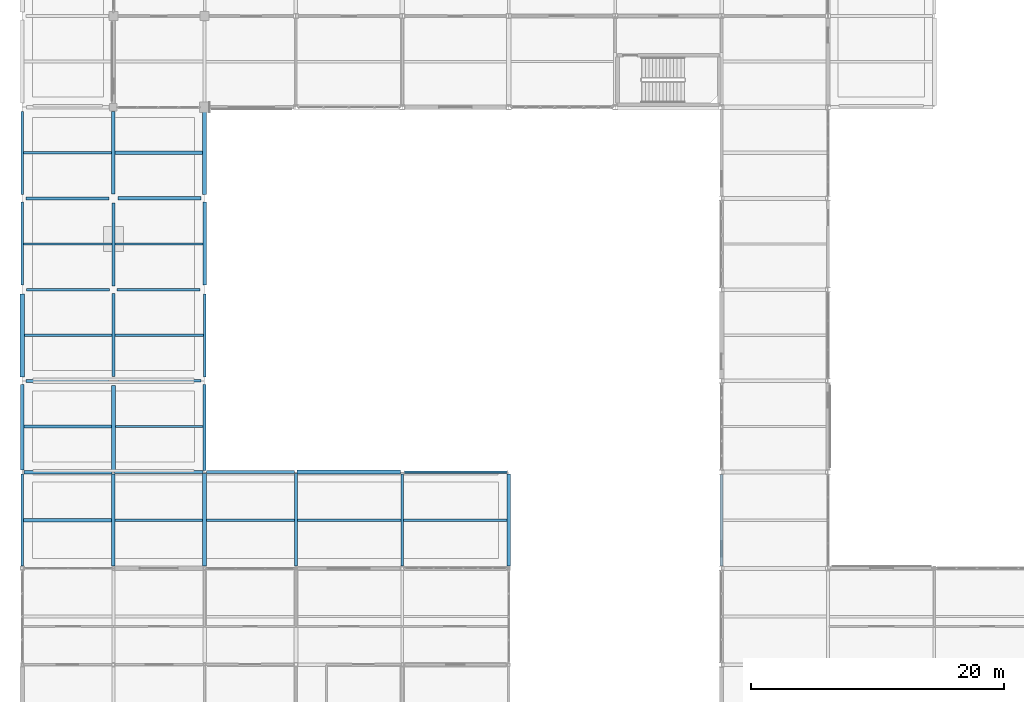
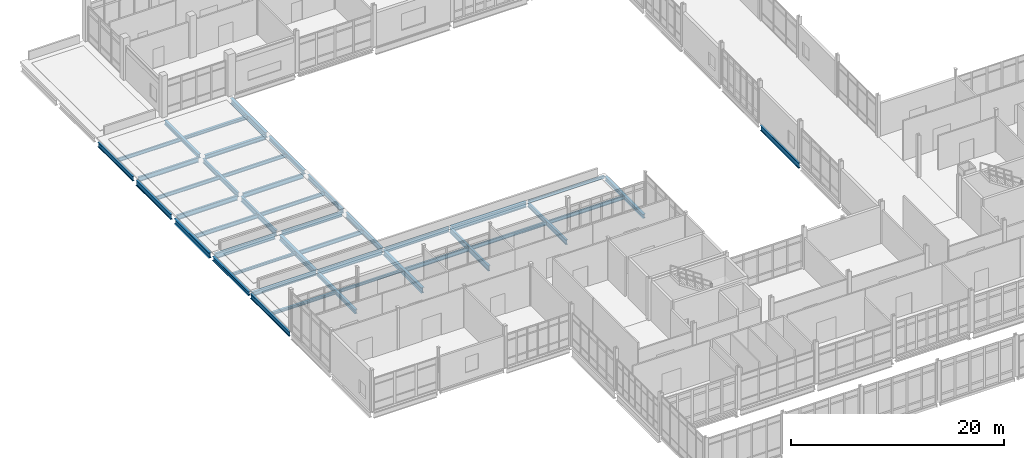
# One storey, part 75 of 186: 43 beams.
"""IFC4 building model written with IfcOpenShell, lengths in metres."""

from ifc_helpers import new_model, si_unit, direction, frame, origin, origin_2d, place, context, subcontext, project, spatial, hollow_rectangle, i_section, extrude, material, material_profile, profile_set, type_object, element, save


model = new_model("IFC4")

# Units and contexts
model_context = context("Model", 3, precision=1e-05, world=origin(), true_north=direction((0.0, 1.0)))
body_context = subcontext(model_context, "Body", "Model", "MODEL_VIEW")
ifc_project = project(units=[si_unit("LENGTHUNIT", "METRE"), si_unit("AREAUNIT", "SQUARE_METRE"), si_unit("VOLUMEUNIT", "CUBIC_METRE"), si_unit("PLANEANGLEUNIT", "RADIAN"), si_unit("MASSUNIT", "GRAM", prefix="KILO")], contexts=[model_context])

# Site, building, storey
site_placement = place(None, origin())
site = spatial("IfcSite", under=ifc_project, at=site_placement, CompositionType="ELEMENT")
building_placement = place(site_placement, origin())
building = spatial("IfcBuilding", under=site, at=building_placement, Name="Calvrana Isthmian Art Gallery", CompositionType="ELEMENT")
storey_placement = place(building_placement, frame((0.0, 0.0, 5.39990234375)))
storey = spatial("IfcBuildingStorey", under=building, at=storey_placement, Name="L01", CompositionType="ELEMENT", Elevation=5.39990234375)

# Beams
ifc_material_1 = material(Name="Steel ASTM A992 Gr 50", Category="steel")
ifc_material_profile_1 = material_profile(ifc_material_1, i_section(OverallWidth=0.279052734375, OverallDepth=0.4619140625, WebThickness=0.0107421875, FlangeThickness=0.017333984375, FilletRadius=0.02001953125, at=origin_2d()), Name="W18X76")
ifc_profile_set_1 = profile_set([ifc_material_profile_1], Name="Steel ASTM A992 Gr 50")
beam_type_1 = type_object("IfcBeamType", Name="BM-G-W18X76", PredefinedType="BEAM", material=ifc_profile_set_1)
beam_1_placement = place(storey_placement, frame((0.15234375, 69.60009765625, -0.475830078125), z_axis=(1.0, 0.0, 0.0), x_axis=(0.0, 1.0, 0.0)))
element("IfcBeam", 1, at=beam_1_placement, inside=storey, type_object=beam_type_1, Name="Girder X L01 01-02/J", PredefinedType="BEAM", context=body_context, shape_type="SweptSolid", body=[
    extrude(i_section(OverallWidth=0.279052734375, OverallDepth=0.4619140625, WebThickness=0.0107421875, FlangeThickness=0.017333984375, FilletRadius=0.02001953125, at=origin_2d()), origin(), (0.0, 0.0, 1.0), 6.946044921875),
])
beam_2_placement = place(storey_placement, frame((7.550048828125, 91.199951171875, -0.475830078125), z_axis=(1.0, 0.0, 0.0), x_axis=(0.0, 1.0, 0.0)))
element("IfcBeam", 2, at=beam_2_placement, inside=storey, type_object=beam_type_1, Name="Girder X L01 02-03/M", PredefinedType="BEAM", context=body_context, shape_type="SweptSolid", body=[
    extrude(i_section(OverallWidth=0.279052734375, OverallDepth=0.4619140625, WebThickness=0.0107421875, FlangeThickness=0.017333984375, FilletRadius=0.02001953125, at=origin_2d()), origin(), (0.0, 0.0, 1.0), 6.550048828125),
])
beam_3_placement = place(storey_placement, frame((0.0, 69.75244140625, -0.475830078125), z_axis=(0.0, 1.0, 0.0), x_axis=(-1.0, 0.0, 0.0)))
element("IfcBeam", 3, at=beam_3_placement, inside=storey, type_object=beam_type_1, Name="Girder Y L01 01/J-K", PredefinedType="BEAM", context=body_context, shape_type="SweptSolid", body=[
    extrude(i_section(OverallWidth=0.279052734375, OverallDepth=0.4619140625, WebThickness=0.0107421875, FlangeThickness=0.017333984375, FilletRadius=0.02001953125, at=origin_2d()), origin(), (0.0, 0.0, 1.0), 6.74755859375),
])
beam_4_placement = place(storey_placement, frame((7.199951171875, 62.177978515625, -0.475830078125), z_axis=(0.0, 1.0, 0.0), x_axis=(-1.0, 0.0, 0.0)))
element("IfcBeam", 4, at=beam_4_placement, inside=storey, type_object=beam_type_1, Name="Girder Y L01 02/I-J", PredefinedType="BEAM", context=body_context, shape_type="SweptSolid", body=[
    extrude(i_section(OverallWidth=0.279052734375, OverallDepth=0.4619140625, WebThickness=0.0107421875, FlangeThickness=0.017333984375, FilletRadius=0.02001953125, at=origin_2d()), origin(), (0.0, 0.0, 1.0), 7.26953125),
])
beam_5_placement = place(storey_placement, frame((7.199951171875, 91.550048828125, -0.475830078125), z_axis=(0.0, 1.0, 0.0), x_axis=(-1.0, 0.0, 0.0)))
element("IfcBeam", 5, at=beam_5_placement, inside=storey, type_object=beam_type_1, Name="Girder Y L01 02/M-N", PredefinedType="BEAM", context=body_context, shape_type="SweptSolid", body=[
    extrude(i_section(OverallWidth=0.279052734375, OverallDepth=0.4619140625, WebThickness=0.0107421875, FlangeThickness=0.017333984375, FilletRadius=0.02001953125, at=origin_2d()), origin(), (0.0, 0.0, 1.0), 6.5),
])
beam_6_placement = place(storey_placement, frame((14.39990234375, 84.35009765625, -0.475830078125), z_axis=(0.0, 1.0, 0.0), x_axis=(-1.0, 0.0, 0.0)))
element("IfcBeam", 6, at=beam_6_placement, inside=storey, type_object=beam_type_1, Name="Girder Y L01 03/L-M", PredefinedType="BEAM", context=body_context, shape_type="SweptSolid", body=[
    extrude(i_section(OverallWidth=0.279052734375, OverallDepth=0.4619140625, WebThickness=0.0107421875, FlangeThickness=0.017333984375, FilletRadius=0.02001953125, at=origin_2d()), origin(), (0.0, 0.0, 1.0), 6.5498046875),
])
beam_7_placement = place(storey_placement, frame((38.39990234375, 62.177978515625, -0.475830078125), z_axis=(0.0, 1.0, 0.0), x_axis=(-1.0, 0.0, 0.0)))
element("IfcBeam", 7, at=beam_7_placement, inside=storey, type_object=beam_type_1, Name="Girder Y L01 06/I-J", PredefinedType="BEAM", context=body_context, shape_type="SweptSolid", body=[
    extrude(i_section(OverallWidth=0.279052734375, OverallDepth=0.4619140625, WebThickness=0.0107421875, FlangeThickness=0.017333984375, FilletRadius=0.02001953125, at=origin_2d()), origin(), (0.0, 0.0, 1.0), 7.26953125),
])
ifc_material_profile_2 = material_profile(ifc_material_1, i_section(OverallWidth=0.208984375, OverallDepth=0.532958984375, WebThickness=0.01025390625, FlangeThickness=0.015625, FilletRadius=0.02099609375, at=origin_2d()), Name="W21X62")
ifc_profile_set_2 = profile_set([ifc_material_profile_2], Name="Steel ASTM A992 Gr 50")
beam_type_2 = type_object("IfcBeamType", Name="BM-G-W21X62", PredefinedType="BEAM", material=ifc_profile_set_2)
for number, where, z_axis, x_axis, name in (
    (8, (7.5, 84.0, -0.511474609375), (1.0, 0.0, 0.0), (0.0, 1.0, 0.0), "Girder X L01 02-03/L"),
    (9, (0.300048828125, 91.199951171875, -0.511474609375), (1.0, 0.0, 0.0), (0.0, 1.0, 0.0), "Girder X L01 01-02/M"),
):
    element("IfcBeam", number, at=place(storey_placement, frame(where, z_axis=z_axis, x_axis=x_axis)), inside=storey, type_object=beam_type_2, Name=name, PredefinedType="BEAM", context=body_context, shape_type="SweptSolid", body=[
        extrude(i_section(OverallWidth=0.208984375, OverallDepth=0.532958984375, WebThickness=0.01025390625, FlangeThickness=0.015625, FilletRadius=0.02099609375, at=origin_2d()), origin(), (0.0, 0.0, 1.0), 6.550048828125),
    ])
beam_8_placement = place(storey_placement, frame((0.0, 62.181396484375, -0.511474609375), z_axis=(0.0, 1.0, 0.0), x_axis=(-1.0, 0.0, 0.0)))
element("IfcBeam", 10, at=beam_8_placement, inside=storey, type_object=beam_type_2, Name="Girder Y L01 01/I-J", PredefinedType="BEAM", context=body_context, shape_type="SweptSolid", body=[
    extrude(i_section(OverallWidth=0.208984375, OverallDepth=0.532958984375, WebThickness=0.01025390625, FlangeThickness=0.015625, FilletRadius=0.02099609375, at=origin_2d()), origin(), (0.0, 0.0, 1.0), 7.26611328125),
])
for number, where, z_axis, x_axis, name in (
    (11, (0.0, 91.5, -0.511474609375), (0.0, 1.0, 0.0), (-1.0, 0.0, 0.0), "Girder Y L01 01/M-N"),
    (12, (7.199951171875, 84.300048828125, -0.511474609375), (0.0, 1.0, 0.0), (-1.0, 0.0, 0.0), "Girder Y L01 02/L-M"),
):
    element("IfcBeam", number, at=place(storey_placement, frame(where, z_axis=z_axis, x_axis=x_axis)), inside=storey, type_object=beam_type_2, Name=name, PredefinedType="BEAM", context=body_context, shape_type="SweptSolid", body=[
        extrude(i_section(OverallWidth=0.208984375, OverallDepth=0.532958984375, WebThickness=0.01025390625, FlangeThickness=0.015625, FilletRadius=0.02099609375, at=origin_2d()), origin(), (0.0, 0.0, 1.0), 6.550048828125),
    ])
beam_9_placement = place(storey_placement, frame((14.39990234375, 77.10009765625, -0.511474609375), z_axis=(0.0, 1.0, 0.0), x_axis=(-1.0, 0.0, 0.0)))
element("IfcBeam", 13, at=beam_9_placement, inside=storey, type_object=beam_type_2, Name="Girder Y L01 03/K-L", PredefinedType="BEAM", context=body_context, shape_type="SweptSolid", body=[
    extrude(i_section(OverallWidth=0.208984375, OverallDepth=0.532958984375, WebThickness=0.01025390625, FlangeThickness=0.015625, FilletRadius=0.02099609375, at=origin_2d()), origin(), (0.0, 0.0, 1.0), 6.5498046875),
])
beam_10_placement = place(storey_placement, frame((30.0, 62.181396484375, -0.511474609375), z_axis=(0.0, 1.0, 0.0), x_axis=(-1.0, 0.0, 0.0)))
element("IfcBeam", 14, at=beam_10_placement, inside=storey, type_object=beam_type_2, Name="Girder Y L01 05/I-J", PredefinedType="BEAM", context=body_context, shape_type="SweptSolid", body=[
    extrude(i_section(OverallWidth=0.208984375, OverallDepth=0.532958984375, WebThickness=0.01025390625, FlangeThickness=0.015625, FilletRadius=0.02099609375, at=origin_2d()), origin(), (0.0, 0.0, 1.0), 7.26611328125),
])
ifc_material_profile_3 = material_profile(ifc_material_1, i_section(OverallWidth=0.214111328125, OverallDepth=0.549072265625, WebThickness=0.0146484375, FlangeThickness=0.023681640625, FilletRadius=0.02099609375, at=origin_2d()), Name="W21X93")
ifc_profile_set_3 = profile_set([ifc_material_profile_3], Name="Steel ASTM A992 Gr 50")
beam_type_3 = type_object("IfcBeamType", Name="BM-G-W21X93", PredefinedType="BEAM", material=ifc_profile_set_3)
beam_11_placement = place(storey_placement, frame((14.527099609375, 69.60009765625, -0.519287109375), z_axis=(1.0, 0.0, 0.0), x_axis=(0.0, 1.0, 0.0)))
element("IfcBeam", 15, at=beam_11_placement, inside=storey, type_object=beam_type_3, Name="Girder X L01 03-04/J", PredefinedType="BEAM", context=body_context, shape_type="SweptSolid", body=[
    extrude(i_section(OverallWidth=0.214111328125, OverallDepth=0.549072265625, WebThickness=0.0146484375, FlangeThickness=0.023681640625, FilletRadius=0.02099609375, at=origin_2d()), origin(), (0.0, 0.0, 1.0), 6.97119140625),
])
beam_12_placement = place(storey_placement, frame((7.550048828125, 76.800048828125, -0.519287109375), z_axis=(1.0, 0.0, 0.0), x_axis=(0.0, 1.0, 0.0)))
element("IfcBeam", 16, at=beam_12_placement, inside=storey, type_object=beam_type_3, Name="Girder X L01 02-03/K", PredefinedType="BEAM", context=body_context, shape_type="SweptSolid", body=[
    extrude(i_section(OverallWidth=0.214111328125, OverallDepth=0.549072265625, WebThickness=0.0146484375, FlangeThickness=0.023681640625, FilletRadius=0.02099609375, at=origin_2d()), origin(), (0.0, 0.0, 1.0), 6.550048828125),
])
beam_13_placement = place(storey_placement, frame((0.35009765625, 84.0, -0.519287109375), z_axis=(1.0, 0.0, 0.0), x_axis=(0.0, 1.0, 0.0)))
element("IfcBeam", 17, at=beam_13_placement, inside=storey, type_object=beam_type_3, Name="Girder X L01 01-02/L", PredefinedType="BEAM", context=body_context, shape_type="SweptSolid", body=[
    extrude(i_section(OverallWidth=0.214111328125, OverallDepth=0.549072265625, WebThickness=0.0146484375, FlangeThickness=0.023681640625, FilletRadius=0.02099609375, at=origin_2d()), origin(), (0.0, 0.0, 1.0), 6.5498046875),
])
ifc_material_profile_4 = material_profile(ifc_material_1, i_section(OverallWidth=0.324951171875, OverallDepth=0.612060546875, WebThickness=0.0126953125, FlangeThickness=0.01904296875, FilletRadius=0.02197265625, at=origin_2d()), Name="W24X104")
ifc_profile_set_4 = profile_set([ifc_material_profile_4], Name="Steel ASTM A992 Gr 50")
beam_type_4 = type_object("IfcBeamType", Name="BM-G-W24X104", PredefinedType="BEAM", material=ifc_profile_set_4)
beam_14_placement = place(storey_placement, frame((21.70166015625, 69.60009765625, -0.55078125), z_axis=(1.0, 0.0, 0.0), x_axis=(0.0, 1.0, 0.0)))
element("IfcBeam", 18, at=beam_14_placement, inside=storey, type_object=beam_type_4, Name="Girder X L01 04-05/J", PredefinedType="BEAM", context=body_context, shape_type="SweptSolid", body=[
    extrude(i_section(OverallWidth=0.324951171875, OverallDepth=0.612060546875, WebThickness=0.0126953125, FlangeThickness=0.01904296875, FilletRadius=0.02197265625, at=origin_2d()), origin(), (0.0, 0.0, 1.0), 8.14599609375),
])
beam_15_placement = place(storey_placement, frame((0.0, 77.10009765625, -0.55078125), z_axis=(0.0, 1.0, 0.0), x_axis=(-1.0, 0.0, 0.0)))
element("IfcBeam", 19, at=beam_15_placement, inside=storey, type_object=beam_type_4, Name="Girder Y L01 01/K-L", PredefinedType="BEAM", context=body_context, shape_type="SweptSolid", body=[
    extrude(i_section(OverallWidth=0.324951171875, OverallDepth=0.612060546875, WebThickness=0.0126953125, FlangeThickness=0.01904296875, FilletRadius=0.02197265625, at=origin_2d()), origin(), (0.0, 0.0, 1.0), 6.5498046875),
])
beam_16_placement = place(storey_placement, frame((7.199951171875, 69.75244140625, -0.55078125), z_axis=(0.0, 1.0, 0.0), x_axis=(-1.0, 0.0, 0.0)))
element("IfcBeam", 20, at=beam_16_placement, inside=storey, type_object=beam_type_4, Name="Girder Y L01 02/J-K", PredefinedType="BEAM", context=body_context, shape_type="SweptSolid", body=[
    extrude(i_section(OverallWidth=0.324951171875, OverallDepth=0.612060546875, WebThickness=0.0126953125, FlangeThickness=0.01904296875, FilletRadius=0.02197265625, at=origin_2d()), origin(), (0.0, 0.0, 1.0), 6.697509765625),
])
beam_17_placement = place(storey_placement, frame((14.39990234375, 62.1865234375, -0.55078125), z_axis=(0.0, 1.0, 0.0), x_axis=(-1.0, 0.0, 0.0)))
element("IfcBeam", 21, at=beam_17_placement, inside=storey, type_object=beam_type_4, Name="Girder Y L01 03/I-J", PredefinedType="BEAM", context=body_context, shape_type="SweptSolid", body=[
    extrude(i_section(OverallWidth=0.324951171875, OverallDepth=0.612060546875, WebThickness=0.0126953125, FlangeThickness=0.01904296875, FilletRadius=0.02197265625, at=origin_2d()), origin(), (0.0, 0.0, 1.0), 7.286376953125),
])
beam_18_placement = place(storey_placement, frame((14.39990234375, 91.5, -0.55078125), z_axis=(0.0, 1.0, 0.0), x_axis=(-1.0, 0.0, 0.0)))
element("IfcBeam", 22, at=beam_18_placement, inside=storey, type_object=beam_type_4, Name="Girder Y L01 03/M-N", PredefinedType="BEAM", context=body_context, shape_type="SweptSolid", body=[
    extrude(i_section(OverallWidth=0.324951171875, OverallDepth=0.612060546875, WebThickness=0.0126953125, FlangeThickness=0.01904296875, FilletRadius=0.02197265625, at=origin_2d()), origin(), (0.0, 0.0, 1.0), 6.60009765625),
])
ifc_material_profile_5 = material_profile(ifc_material_1, i_section(OverallWidth=0.22802734375, OverallDepth=0.60693359375, WebThickness=0.01123046875, FlangeThickness=0.017333984375, FilletRadius=0.02197265625, at=origin_2d()), Name="W24X76")
ifc_profile_set_5 = profile_set([ifc_material_profile_5], Name="Steel ASTM A992 Gr 50")
beam_type_5 = type_object("IfcBeamType", Name="BM-G-W24X76", PredefinedType="BEAM", material=ifc_profile_set_5)
beam_19_placement = place(storey_placement, frame((7.301513671875, 69.60009765625, -0.54833984375), z_axis=(1.0, 0.0, 0.0), x_axis=(0.0, 1.0, 0.0)))
element("IfcBeam", 23, at=beam_19_placement, inside=storey, type_object=beam_type_5, Name="Girder X L01 02-03/J", PredefinedType="BEAM", context=body_context, shape_type="SweptSolid", body=[
    extrude(i_section(OverallWidth=0.22802734375, OverallDepth=0.60693359375, WebThickness=0.01123046875, FlangeThickness=0.017333984375, FilletRadius=0.02197265625, at=origin_2d()), origin(), (0.0, 0.0, 1.0), 6.971435546875),
])
beam_20_placement = place(storey_placement, frame((0.300048828125, 76.800048828125, -0.54833984375), z_axis=(1.0, 0.0, 0.0), x_axis=(0.0, 1.0, 0.0)))
element("IfcBeam", 24, at=beam_20_placement, inside=storey, type_object=beam_type_5, Name="Girder X L01 01-02/K", PredefinedType="BEAM", context=body_context, shape_type="SweptSolid", body=[
    extrude(i_section(OverallWidth=0.22802734375, OverallDepth=0.60693359375, WebThickness=0.01123046875, FlangeThickness=0.017333984375, FilletRadius=0.02197265625, at=origin_2d()), origin(), (0.0, 0.0, 1.0), 6.550048828125),
])
beam_21_placement = place(storey_placement, frame((0.0, 84.35009765625, -0.54833984375), z_axis=(0.0, 1.0, 0.0), x_axis=(-1.0, 0.0, 0.0)))
element("IfcBeam", 25, at=beam_21_placement, inside=storey, type_object=beam_type_5, Name="Girder Y L01 01/L-M", PredefinedType="BEAM", context=body_context, shape_type="SweptSolid", body=[
    extrude(i_section(OverallWidth=0.22802734375, OverallDepth=0.60693359375, WebThickness=0.01123046875, FlangeThickness=0.017333984375, FilletRadius=0.02197265625, at=origin_2d()), origin(), (0.0, 0.0, 1.0), 6.5498046875),
])
beam_22_placement = place(storey_placement, frame((7.199951171875, 77.14990234375, -0.54833984375), z_axis=(0.0, 1.0, 0.0), x_axis=(-1.0, 0.0, 0.0)))
element("IfcBeam", 26, at=beam_22_placement, inside=storey, type_object=beam_type_5, Name="Girder Y L01 02/K-L", PredefinedType="BEAM", context=body_context, shape_type="SweptSolid", body=[
    extrude(i_section(OverallWidth=0.22802734375, OverallDepth=0.60693359375, WebThickness=0.01123046875, FlangeThickness=0.017333984375, FilletRadius=0.02197265625, at=origin_2d()), origin(), (0.0, 0.0, 1.0), 6.550048828125),
])
beam_23_placement = place(storey_placement, frame((14.39990234375, 69.72705078125, -0.54833984375), z_axis=(0.0, 1.0, 0.0), x_axis=(-1.0, 0.0, 0.0)))
element("IfcBeam", 27, at=beam_23_placement, inside=storey, type_object=beam_type_5, Name="Girder Y L01 03/J-K", PredefinedType="BEAM", context=body_context, shape_type="SweptSolid", body=[
    extrude(i_section(OverallWidth=0.22802734375, OverallDepth=0.60693359375, WebThickness=0.01123046875, FlangeThickness=0.017333984375, FilletRadius=0.02197265625, at=origin_2d()), origin(), (0.0, 0.0, 1.0), 6.77294921875),
])
beam_24_placement = place(storey_placement, frame((21.60009765625, 62.18408203125, -0.54833984375), z_axis=(0.0, 1.0, 0.0), x_axis=(-1.0, 0.0, 0.0)))
element("IfcBeam", 28, at=beam_24_placement, inside=storey, type_object=beam_type_5, Name="Girder Y L01 04/I-J", PredefinedType="BEAM", context=body_context, shape_type="SweptSolid", body=[
    extrude(i_section(OverallWidth=0.22802734375, OverallDepth=0.60693359375, WebThickness=0.01123046875, FlangeThickness=0.017333984375, FilletRadius=0.02197265625, at=origin_2d()), origin(), (0.0, 0.0, 1.0), 7.314208984375),
])
beam_25_placement = place(storey_placement, frame((55.199951171875, 62.18408203125, -0.54833984375), z_axis=(0.0, 1.0, 0.0), x_axis=(-1.0, 0.0, 0.0)))
element("IfcBeam", 29, at=beam_25_placement, inside=storey, type_object=beam_type_5, Name="Girder Y L01 08/I-J", PredefinedType="BEAM", context=body_context, shape_type="SweptSolid", body=[
    extrude(i_section(OverallWidth=0.22802734375, OverallDepth=0.60693359375, WebThickness=0.01123046875, FlangeThickness=0.017333984375, FilletRadius=0.02197265625, at=origin_2d()), origin(), (0.0, 0.0, 1.0), 7.2294921875),
])
ifc_material_profile_6 = material_profile(ifc_material_1, i_section(OverallWidth=0.202880859375, OverallDepth=0.302001953125, WebThickness=0.007568359375, FlangeThickness=0.01318359375, FilletRadius=0.01611328125, at=origin_2d()), Name="W12X40")
ifc_profile_set_6 = profile_set([ifc_material_profile_6], Name="Steel ASTM A992 Gr 50")
beam_type_6 = type_object("IfcBeamType", Name="BM-J-W12X40", PredefinedType="JOIST", material=ifc_profile_set_6)
beam_26_placement = place(storey_placement, frame((0.139404296875, 73.199951171875, -0.39599609375), z_axis=(1.0, 0.0, 0.0), x_axis=(0.0, 1.0, 0.0)))
element("IfcBeam", 30, at=beam_26_placement, inside=storey, type_object=beam_type_6, Name="Composite joist L01 bay 00-09", PredefinedType="JOIST", context=body_context, shape_type="SweptSolid", body=[
    extrude(i_section(OverallWidth=0.202880859375, OverallDepth=0.302001953125, WebThickness=0.007568359375, FlangeThickness=0.01318359375, FilletRadius=0.01611328125, at=origin_2d()), origin(), (0.0, 0.0, 1.0), 6.898193359375),
])
beam_27_placement = place(storey_placement, frame((7.339599609375, 65.800048828125, -0.39599609375), z_axis=(1.0, 0.0, 0.0), x_axis=(0.0, 1.0, 0.0)))
element("IfcBeam", 31, at=beam_27_placement, inside=storey, type_object=beam_type_6, Name="Composite joist L01 bay 01-08", PredefinedType="JOIST", context=body_context, shape_type="SweptSolid", body=[
    extrude(i_section(OverallWidth=0.202880859375, OverallDepth=0.302001953125, WebThickness=0.007568359375, FlangeThickness=0.01318359375, FilletRadius=0.01611328125, at=origin_2d()), origin(), (0.0, 0.0, 1.0), 6.89794921875),
])
ifc_material_profile_7 = material_profile(ifc_material_1, i_section(OverallWidth=0.25390625, OverallDepth=0.306884765625, WebThickness=0.0087890625, FlangeThickness=0.0146484375, FilletRadius=0.01611328125, at=origin_2d()), Name="W12X53")
ifc_profile_set_7 = profile_set([ifc_material_profile_7], Name="Steel ASTM A992 Gr 50")
beam_type_7 = type_object("IfcBeamType", Name="BM-J-W12X53", PredefinedType="JOIST", material=ifc_profile_set_7)
beam_28_placement = place(storey_placement, frame((0.1044921875, 65.800048828125, -0.3984375), z_axis=(1.0, 0.0, 0.0), x_axis=(0.0, 1.0, 0.0)))
element("IfcBeam", 32, at=beam_28_placement, inside=storey, type_object=beam_type_7, Name="Composite joist L01 bay 00-08", PredefinedType="JOIST", context=body_context, shape_type="SweptSolid", body=[
    extrude(i_section(OverallWidth=0.25390625, OverallDepth=0.306884765625, WebThickness=0.0087890625, FlangeThickness=0.0146484375, FilletRadius=0.01611328125, at=origin_2d()), origin(), (0.0, 0.0, 1.0), 6.9560546875),
])
ifc_material_profile_8 = material_profile(ifc_material_1, i_section(OverallWidth=0.25390625, OverallDepth=0.35302734375, WebThickness=0.009521484375, FlangeThickness=0.016357421875, FilletRadius=0.01806640625, at=origin_2d()), Name="W14X61")
ifc_profile_set_8 = profile_set([ifc_material_profile_8], Name="Steel ASTM A992 Gr 50")
beam_type_8 = type_object("IfcBeamType", Name="BM-J-W14X61", PredefinedType="JOIST", material=ifc_profile_set_8)
beam_29_placement = place(storey_placement, frame((7.339599609375, 94.800048828125, -0.42138671875), z_axis=(1.0, 0.0, 0.0), x_axis=(0.0, 1.0, 0.0)))
element("IfcBeam", 33, at=beam_29_placement, inside=storey, type_object=beam_type_8, Name="Composite joist L01 bay 01-12", PredefinedType="JOIST", context=body_context, shape_type="SweptSolid", body=[
    extrude(i_section(OverallWidth=0.25390625, OverallDepth=0.35302734375, WebThickness=0.009521484375, FlangeThickness=0.016357421875, FilletRadius=0.01806640625, at=origin_2d()), origin(), (0.0, 0.0, 1.0), 6.89794921875),
])
ifc_material_profile_9 = material_profile(ifc_material_1, i_section(OverallWidth=0.177978515625, OverallDepth=0.404052734375, WebThickness=0.007568359375, FlangeThickness=0.010986328125, FilletRadius=0.01806640625, at=origin_2d()), Name="W16X36")
ifc_profile_set_9 = profile_set([ifc_material_profile_9], Name="Steel ASTM A992 Gr 50")
beam_type_9 = type_object("IfcBeamType", Name="BM-J-W16X36", PredefinedType="JOIST", material=ifc_profile_set_9)
for number, where, z_axis, x_axis, name in (
    (34, (0.1044921875, 94.800048828125, -0.447021484375), (1.0, 0.0, 0.0), (0.0, 1.0, 0.0), "Composite joist L01 bay 00-12"),
    (35, (7.304443359375, 87.60009765625, -0.447021484375), (1.0, 0.0, 0.0), (0.0, 1.0, 0.0), "Composite joist L01 bay 01-11"),
):
    element("IfcBeam", number, at=place(storey_placement, frame(where, z_axis=z_axis, x_axis=x_axis)), inside=storey, type_object=beam_type_9, Name=name, PredefinedType="JOIST", context=body_context, shape_type="SweptSolid", body=[
        extrude(i_section(OverallWidth=0.177978515625, OverallDepth=0.404052734375, WebThickness=0.007568359375, FlangeThickness=0.010986328125, FilletRadius=0.01806640625, at=origin_2d()), origin(), (0.0, 0.0, 1.0), 6.9560546875),
    ])
beam_30_placement = place(storey_placement, frame((30.1044921875, 65.800048828125, -0.447021484375), z_axis=(1.0, 0.0, 0.0), x_axis=(0.0, 1.0, 0.0)))
element("IfcBeam", 36, at=beam_30_placement, inside=storey, type_object=beam_type_9, Name="Composite joist L01 bay 04-08", PredefinedType="JOIST", context=body_context, shape_type="SweptSolid", body=[
    extrude(i_section(OverallWidth=0.177978515625, OverallDepth=0.404052734375, WebThickness=0.007568359375, FlangeThickness=0.010986328125, FilletRadius=0.01806640625, at=origin_2d()), origin(), (0.0, 0.0, 1.0), 8.156005859375),
])
ifc_material_profile_10 = material_profile(ifc_material_1, i_section(OverallWidth=0.179931640625, OverallDepth=0.4140625, WebThickness=0.009765625, FlangeThickness=0.01611328125, FilletRadius=0.01806640625, at=origin_2d()), Name="W16X50")
ifc_profile_set_10 = profile_set([ifc_material_profile_10], Name="Steel ASTM A992 Gr 50")
beam_type_10 = type_object("IfcBeamType", Name="BM-J-W16X50", PredefinedType="JOIST", material=ifc_profile_set_10)
for number, where, z_axis, x_axis, name in (
    (37, (0.114013671875, 87.60009765625, -0.451904296875), (1.0, 0.0, 0.0), (0.0, 1.0, 0.0), "Composite joist L01 bay 00-11"),
    (38, (7.31396484375, 80.39990234375, -0.451904296875), (1.0, 0.0, 0.0), (0.0, 1.0, 0.0), "Composite joist L01 bay 01-10"),
):
    element("IfcBeam", number, at=place(storey_placement, frame(where, z_axis=z_axis, x_axis=x_axis)), inside=storey, type_object=beam_type_10, Name=name, PredefinedType="JOIST", context=body_context, shape_type="SweptSolid", body=[
        extrude(i_section(OverallWidth=0.179931640625, OverallDepth=0.4140625, WebThickness=0.009765625, FlangeThickness=0.01611328125, FilletRadius=0.01806640625, at=origin_2d()), origin(), (0.0, 0.0, 1.0), 6.9814453125),
    ])
beam_31_placement = place(storey_placement, frame((21.714111328125, 65.800048828125, -0.451904296875), z_axis=(1.0, 0.0, 0.0), x_axis=(0.0, 1.0, 0.0)))
element("IfcBeam", 39, at=beam_31_placement, inside=storey, type_object=beam_type_10, Name="Composite joist L01 bay 03-08", PredefinedType="JOIST", context=body_context, shape_type="SweptSolid", body=[
    extrude(i_section(OverallWidth=0.179931640625, OverallDepth=0.4140625, WebThickness=0.009765625, FlangeThickness=0.01611328125, FilletRadius=0.01806640625, at=origin_2d()), origin(), (0.0, 0.0, 1.0), 8.181396484375),
])
ifc_material_profile_11 = material_profile(ifc_material_1, i_section(OverallWidth=0.19091796875, OverallDepth=0.45703125, WebThickness=0.009033203125, FlangeThickness=0.014404296875, FilletRadius=0.02001953125, at=origin_2d()), Name="W18X50")
ifc_profile_set_11 = profile_set([ifc_material_profile_11], Name="Steel ASTM A992 Gr 50")
beam_type_11 = type_object("IfcBeamType", Name="BM-J-W18X50", PredefinedType="JOIST", material=ifc_profile_set_11)
for number, where, z_axis, x_axis, name in (
    (40, (0.16259765625, 80.39990234375, -0.473388671875), (1.0, 0.0, 0.0), (0.0, 1.0, 0.0), "Composite joist L01 bay 00-10"),
    (41, (7.362548828125, 73.199951171875, -0.473388671875), (1.0, 0.0, 0.0), (0.0, 1.0, 0.0), "Composite joist L01 bay 01-09"),
):
    element("IfcBeam", number, at=place(storey_placement, frame(where, z_axis=z_axis, x_axis=x_axis)), inside=storey, type_object=beam_type_11, Name=name, PredefinedType="JOIST", context=body_context, shape_type="SweptSolid", body=[
        extrude(i_section(OverallWidth=0.19091796875, OverallDepth=0.45703125, WebThickness=0.009033203125, FlangeThickness=0.014404296875, FilletRadius=0.02001953125, at=origin_2d()), origin(), (0.0, 0.0, 1.0), 6.92333984375),
    ])
beam_32_placement = place(storey_placement, frame((14.5625, 65.800048828125, -0.473388671875), z_axis=(1.0, 0.0, 0.0), x_axis=(0.0, 1.0, 0.0)))
element("IfcBeam", 42, at=beam_32_placement, inside=storey, type_object=beam_type_11, Name="Composite joist L01 bay 02-08", PredefinedType="JOIST", context=body_context, shape_type="SweptSolid", body=[
    extrude(i_section(OverallWidth=0.19091796875, OverallDepth=0.45703125, WebThickness=0.009033203125, FlangeThickness=0.014404296875, FilletRadius=0.02001953125, at=origin_2d()), origin(), (0.0, 0.0, 1.0), 6.923583984375),
])
ifc_material_2 = material(Name="Steel ASTM A500 Gr C", Category="steel")
ifc_material_profile_12 = material_profile(ifc_material_2, hollow_rectangle(XDim=0.203125, YDim=0.3046875, WallThickness=0.0126953125, OuterFilletRadius=0.02490234375, at=origin_2d()), Name="HSS305X203X12.7")
ifc_profile_set_12 = profile_set([ifc_material_profile_12], Name="Steel ASTM A500 Gr C")
beam_type_12 = type_object("IfcBeamType", Name="BM-SP-HSS305", PredefinedType="SPANDREL", material=ifc_profile_set_12)
beam_33_placement = place(storey_placement, frame((30.15234375, 69.60009765625, -0.397216796875), z_axis=(1.0, 0.0, 0.0), x_axis=(0.0, 1.0, 0.0)))
element("IfcBeam", 43, at=beam_33_placement, inside=storey, type_object=beam_type_12, Name="Girder X L01 05-06/J", PredefinedType="SPANDREL", context=body_context, shape_type="SweptSolid", body=[
    extrude(hollow_rectangle(XDim=0.203125, YDim=0.3046875, WallThickness=0.0126953125, OuterFilletRadius=0.02490234375, at=origin_2d()), origin(), (0.0, 0.0, 1.0), 8.14599609375),
])

save(model, "model.ifc")
